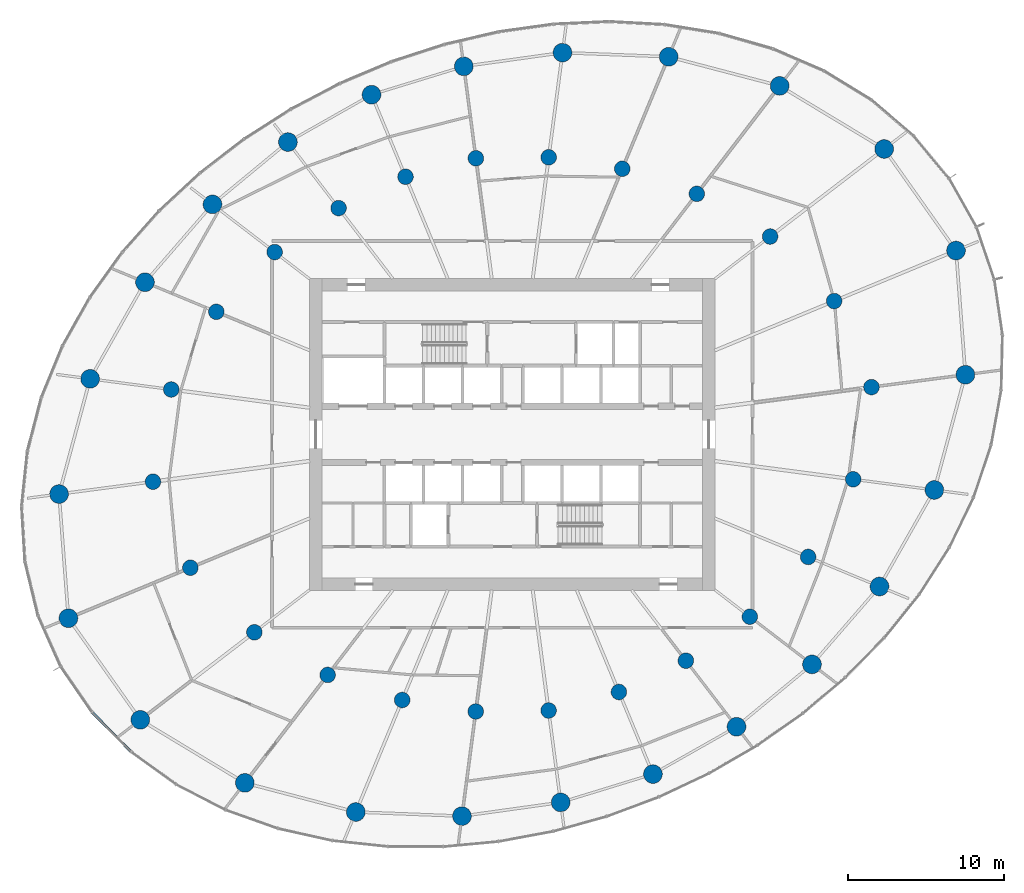
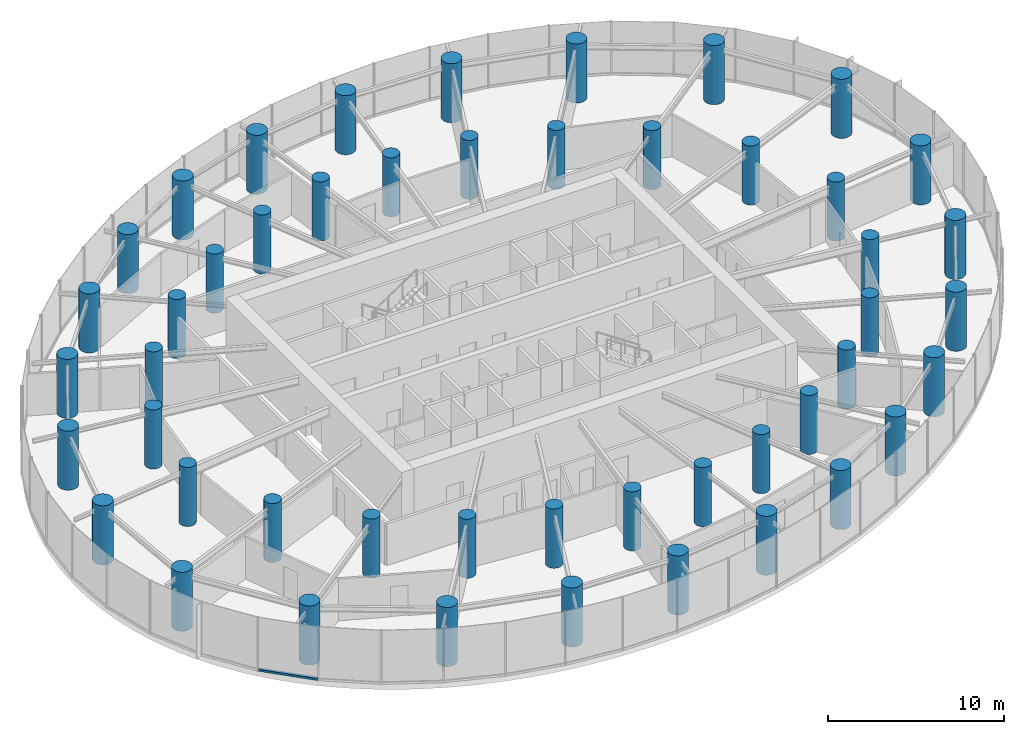
# One storey, part 1 of 17: 48 columns, 1 member, 1 element without a shape of its own.
"""IFC4 building model written with IfcOpenShell, lengths in metres."""

from ifc_helpers import new_model, si_unit, direction, frame, origin, origin_2d, place, context, subcontext, project, spatial, rectangle, circle, extrude, source, transform, mapped, material, layer, layer_set, material_profile, profile_set, type_object, element, aggregate, save


model = new_model("IFC4")

# Units and contexts
model_context = context("Model", 3, precision=1e-05, world=origin(), true_north=direction((0.0, 1.0)))
body_context = subcontext(model_context, "Body", "Model", "MODEL_VIEW")
ifc_project = project(units=[si_unit("LENGTHUNIT", "METRE"), si_unit("AREAUNIT", "SQUARE_METRE"), si_unit("VOLUMEUNIT", "CUBIC_METRE"), si_unit("PLANEANGLEUNIT", "RADIAN"), si_unit("MASSUNIT", "GRAM", prefix="KILO")], contexts=[model_context])

# Site, building, storey
site_placement = place(None, origin())
site = spatial("IfcSite", under=ifc_project, at=site_placement, CompositionType="ELEMENT")
building_placement = place(site_placement, origin())
building = spatial("IfcBuilding", under=site, at=building_placement, Name="Spindrift Exchange Tower", CompositionType="ELEMENT")
storey_placement = place(building_placement, frame((0.0, 0.0, 92.10009765625)))
storey = spatial("IfcBuildingStorey", under=building, at=storey_placement, Name="L21", CompositionType="ELEMENT", Elevation=92.10009765625)

# Columns
ifc_material_1 = material(Name="Concrete 65 MPa", Category="concrete")
ifc_material_profile_1 = material_profile(ifc_material_1, circle(Radius=0.5, at=origin_2d()), Name="RC D1000")
ifc_profile_set_1 = profile_set([ifc_material_profile_1], Name="Concrete 65 MPa")
column_type_1 = type_object("IfcColumnType", Name="RC Inner Column D1000 Concrete 65 MPa", PredefinedType="COLUMN", material=ifc_profile_set_1)
shared_shape_1 = source(origin(), body_context, "Body", "SweptSolid", [
    extrude(circle(Radius=0.5, at=origin_2d()), origin(), (0.0, 0.0, 1.0), 4.099853515625),
])
for number, where, z_axis, x_axis, name in (
    (1, (75.033935546875, 51.032470703125, 0.0), (0.0, 0.0, 1.0), (1.0, 0.0, 0.0), "Inner column Q2-01 L21"),
    (2, (72.639404296875, 56.549072265625, 0.0), (0.0, 0.0, 1.0), (1.0, 0.0, 0.0), "Inner column Q2-02 L21"),
    (3, (68.534912109375, 60.6875, 0.0), (0.0, 0.0, 1.0), (1.0, 0.0, 0.0), "Inner column Q2-03 L21"),
    (4, (63.835205078125, 63.423828125, 0.0), (0.0, 0.0, 1.0), (1.0, 0.0, 0.0), "Inner column Q2-04 L21"),
    (5, (59.0546875, 65.03125, 0.0), (0.0, 0.0, 1.0), (1.0, 0.0, 0.0), "Inner column Q2-05 L21"),
    (6, (54.339111328125, 65.767333984375, 0.0), (0.0, 0.0, 1.0), (1.0, 0.0, 0.0), "Inner column Q2-06 L21"),
    (7, (49.669189453125, 65.703125, 0.0), (0.0, 0.0, 1.0), (1.0, 0.0, 0.0), "Inner column Q2-07 L21"),
    (8, (45.158203125, 64.517578125, 0.0), (0.0, 0.0, 1.0), (1.0, 0.0, 0.0), "Inner column Q2-08 L21"),
    (9, (40.8662109375, 62.510009765625, 0.0), (0.0, 0.0, 1.0), (1.0, 0.0, 0.0), "Inner column Q2-09 L21"),
    (10, (36.767578125, 59.688232421875, 0.0), (0.0, 0.0, 1.0), (1.0, 0.0, 0.0), "Inner column Q2-10 L21"),
    (11, (33.027587890625, 55.858642578125, 0.0), (0.0, 0.0, 1.0), (1.0, 0.0, 0.0), "Inner column Q2-11 L21"),
    (12, (30.13671875, 50.87841796875, 0.0), (0.0, 0.0, 1.0), (1.0, 0.0, 0.0), "Inner column Q2-12 L21"),
    (13, (28.966064453125, 44.967529296875, 0.0), (0.0, 0.0, 1.0), (1.0, 0.0, 0.0), "Inner column Q2-13 L21"),
    (14, (31.360595703125, 39.450927734375, 0.0), (0.0, 0.0, 1.0), (1.0, 0.0, 0.0), "Inner column Q2-14 L21"),
    (15, (35.465087890625, 35.3125, 0.0), (0.0, 0.0, 1.0), (1.0, 0.0, 0.0), "Inner column Q2-15 L21"),
    (16, (40.164794921875, 32.576171875, 0.0), (0.0, 0.0, 1.0), (1.0, 0.0, 0.0), "Inner column Q2-16 L21"),
    (17, (44.9453125, 30.96875, 0.0), (0.0, 0.0, 1.0), (1.0, 0.0, 0.0), "Inner column Q2-17 L21"),
    (18, (49.660888671875, 30.232666015625, 0.0), (0.0, 0.0, 1.0), (1.0, 0.0, 0.0), "Inner column Q2-18 L21"),
    (19, (54.330810546875, 30.296875, 0.0), (0.0, 0.0, 1.0), (1.0, 0.0, 0.0), "Inner column Q2-19 L21"),
    (20, (58.841796875, 31.482421875, 0.0), (0.0, 0.0, 1.0), (1.0, 0.0, 0.0), "Inner column Q2-20 L21"),
    (21, (63.1337890625, 33.489990234375, 0.0), (0.0, 0.0, 1.0), (1.0, 0.0, 0.0), "Inner column Q2-21 L21"),
    (22, (67.232421875, 36.311767578125, 0.0), (0.0, 0.0, 1.0), (1.0, 0.0, 0.0), "Inner column Q2-22 L21"),
    (23, (70.972412109375, 40.141357421875, 0.0), (0.0, 0.0, 1.0), (1.0, 0.0, 0.0), "Inner column Q2-23 L21"),
    (24, (73.86328125, 45.12158203125, 0.0), (0.0, 0.0, 1.0), (1.0, 0.0, 0.0), "Inner column Q2-24 L21"),
):
    element("IfcColumn", number, at=place(storey_placement, frame(where, z_axis=z_axis, x_axis=x_axis)), inside=storey, type_object=column_type_1, Name=name, PredefinedType="COLUMN", context=body_context, shape_type="MappedRepresentation", body=[
        mapped(shared_shape_1, transform((0.0, 0.0, 0.0), scale=1.0)),
    ])
ifc_material_profile_2 = material_profile(ifc_material_1, circle(Radius=0.60009765625, at=origin_2d()), Name="RC D1200")
ifc_profile_set_2 = profile_set([ifc_material_profile_2], Name="Concrete 65 MPa")
column_type_2 = type_object("IfcColumnType", Name="RC Perimeter Column D1200 Concrete 65 MPa", PredefinedType="COLUMN", material=ifc_profile_set_2)
shared_shape_2 = source(origin(), body_context, "Body", "SweptSolid", [
    extrude(circle(Radius=0.60009765625, at=origin_2d()), origin(), (0.0, 0.0, 1.0), 4.099853515625),
])
for number, where, z_axis, x_axis, name in (
    (25, (81.056396484375, 51.8251953125, 0.0), (0.0, 0.0, 1.0), (1.0, 0.0, 0.0), "Perimeter column P2-01 L21"),
    (26, (80.45556640625, 59.78662109375, 0.0), (0.0, 0.0, 1.0), (1.0, 0.0, 0.0), "Perimeter column P2-02 L21"),
    (27, (75.84814453125, 66.29931640625, 0.0), (0.0, 0.0, 1.0), (1.0, 0.0, 0.0), "Perimeter column P2-03 L21"),
    (28, (69.145751953125, 70.3447265625, 0.0), (0.0, 0.0, 1.0), (1.0, 0.0, 0.0), "Perimeter column P2-04 L21"),
    (29, (62.029052734375, 72.212158203125, 0.0), (0.0, 0.0, 1.0), (1.0, 0.0, 0.0), "Perimeter column P2-05 L21"),
    (30, (55.222412109375, 72.476806640625, 0.0), (0.0, 0.0, 1.0), (1.0, 0.0, 0.0), "Perimeter column P2-06 L21"),
    (31, (48.8935546875, 71.595458984375, 0.0), (0.0, 0.0, 1.0), (1.0, 0.0, 0.0), "Perimeter column P2-07 L21"),
    (32, (42.978271484375, 69.780517578125, 0.0), (0.0, 0.0, 1.0), (1.0, 0.0, 0.0), "Perimeter column P2-08 L21"),
    (33, (37.617919921875, 66.742919921875, 0.0), (0.0, 0.0, 1.0), (1.0, 0.0, 0.0), "Perimeter column P2-09 L21"),
    (34, (32.7802734375, 62.747802734375, 0.0), (0.0, 0.0, 1.0), (1.0, 0.0, 0.0), "Perimeter column P2-10 L21"),
    (35, (28.4521484375, 57.75390625, 0.0), (0.0, 0.0, 1.0), (1.0, 0.0, 0.0), "Perimeter column P2-11 L21"),
    (36, (24.935546875, 51.56298828125, 0.0), (0.0, 0.0, 1.0), (1.0, 0.0, 0.0), "Perimeter column P2-12 L21"),
    (37, (22.943603515625, 44.1748046875, 0.0), (0.0, 0.0, 1.0), (1.0, 0.0, 0.0), "Perimeter column P2-13 L21"),
    (38, (23.54443359375, 36.21337890625, 0.0), (0.0, 0.0, 1.0), (1.0, 0.0, 0.0), "Perimeter column P2-14 L21"),
    (39, (28.15185546875, 29.70068359375, 0.0), (0.0, 0.0, 1.0), (1.0, 0.0, 0.0), "Perimeter column P2-15 L21"),
    (40, (34.854248046875, 25.6552734375, 0.0), (0.0, 0.0, 1.0), (1.0, 0.0, 0.0), "Perimeter column P2-16 L21"),
    (41, (41.970947265625, 23.787841796875, 0.0), (0.0, 0.0, 1.0), (1.0, 0.0, 0.0), "Perimeter column P2-17 L21"),
    (42, (48.777587890625, 23.523193359375, 0.0), (0.0, 0.0, 1.0), (1.0, 0.0, 0.0), "Perimeter column P2-18 L21"),
    (43, (55.1064453125, 24.404541015625, 0.0), (0.0, 0.0, 1.0), (1.0, 0.0, 0.0), "Perimeter column P2-19 L21"),
    (44, (61.021728515625, 26.219482421875, 0.0), (0.0, 0.0, 1.0), (1.0, 0.0, 0.0), "Perimeter column P2-20 L21"),
    (45, (66.382080078125, 29.257080078125, 0.0), (0.0, 0.0, 1.0), (1.0, 0.0, 0.0), "Perimeter column P2-21 L21"),
    (46, (71.2197265625, 33.252197265625, 0.0), (0.0, 0.0, 1.0), (1.0, 0.0, 0.0), "Perimeter column P2-22 L21"),
    (47, (75.5478515625, 38.24609375, 0.0), (0.0, 0.0, 1.0), (1.0, 0.0, 0.0), "Perimeter column P2-23 L21"),
    (48, (79.064453125, 44.43701171875, 0.0), (0.0, 0.0, 1.0), (1.0, 0.0, 0.0), "Perimeter column P2-24 L21"),
):
    element("IfcColumn", number, at=place(storey_placement, frame(where, z_axis=z_axis, x_axis=x_axis)), inside=storey, type_object=column_type_2, Name=name, PredefinedType="COLUMN", context=body_context, shape_type="MappedRepresentation", body=[
        mapped(shared_shape_2, transform((0.0, 0.0, 0.0), scale=1.0)),
    ])

# Curtain wall, member
ifc_material_2 = material(Name="Fritted laminated glass with bronze frame", Category="glass")
ifc_layer = layer(ifc_material_2, 0.18994140625)
ifc_layer_set = layer_set([ifc_layer], Name="ZONE 2 BRONZE FRITTED WALL")
curtain_wall_type = type_object("IfcCurtainWallType", Name="ZONE 2 BRONZE FRITTED WALL", PredefinedType="NOTDEFINED", material=ifc_layer_set)
curtain_wall_placement = place(storey_placement, origin())
curtain_wall = element("IfcCurtainWall", 49, at=curtain_wall_placement, inside=storey, type_object=curtain_wall_type, Name="L21 Zone 2 Bronze Fritted Wall run 5", PredefinedType="NOTDEFINED")
ifc_material_3 = material(Name="Bronze anodised aluminium", Category="aluminium")
ifc_material_profile_3 = material_profile(ifc_material_3, rectangle(XDim=0.169921875, YDim=0.139892578125, at=origin_2d()), Name="ZONE 2 BRONZE FRITTED WALL TRANSOM 170X140")
ifc_profile_set_3 = profile_set([ifc_material_profile_3], Name="Bronze anodised aluminium")
member_type = type_object("IfcMemberType", Name="ZONE 2 BRONZE FRITTED WALL TRANSOM 170X140", PredefinedType="USERDEFINED", material=ifc_profile_set_3)
shared_shape_3 = source(origin(), body_context, "Body", "SweptSolid", [
    extrude(rectangle(XDim=0.169921875, YDim=0.139892578125, at=origin_2d()), origin(), (0.0, 0.0, 1.0), 3.488525390625),
])
member_placement = place(storey_placement, frame((25.0869140625, 30.15234375, 0.06982421875), z_axis=(0.70314155995, -0.711049890424, 0.0), x_axis=(0.711049890424, 0.70314155995, 0.0)))
member = element("IfcMember", 50, at=member_placement, type_object=member_type, Name="L21 transom CW-2.28", ObjectType="TRANSOM", PredefinedType="USERDEFINED", context=body_context, shape_type="MappedRepresentation", body=[
    mapped(shared_shape_3, transform((0.0, 0.0, 0.0), scale=1.0)),
])
aggregate(curtain_wall, [member])

save(model, "model.ifc")
